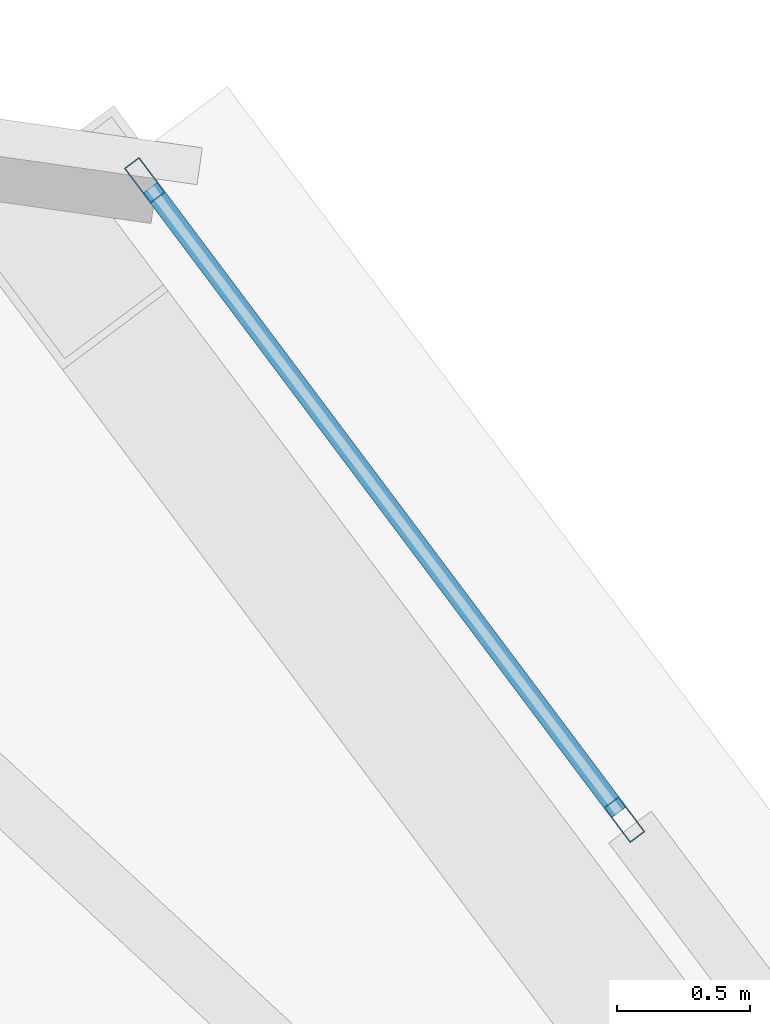
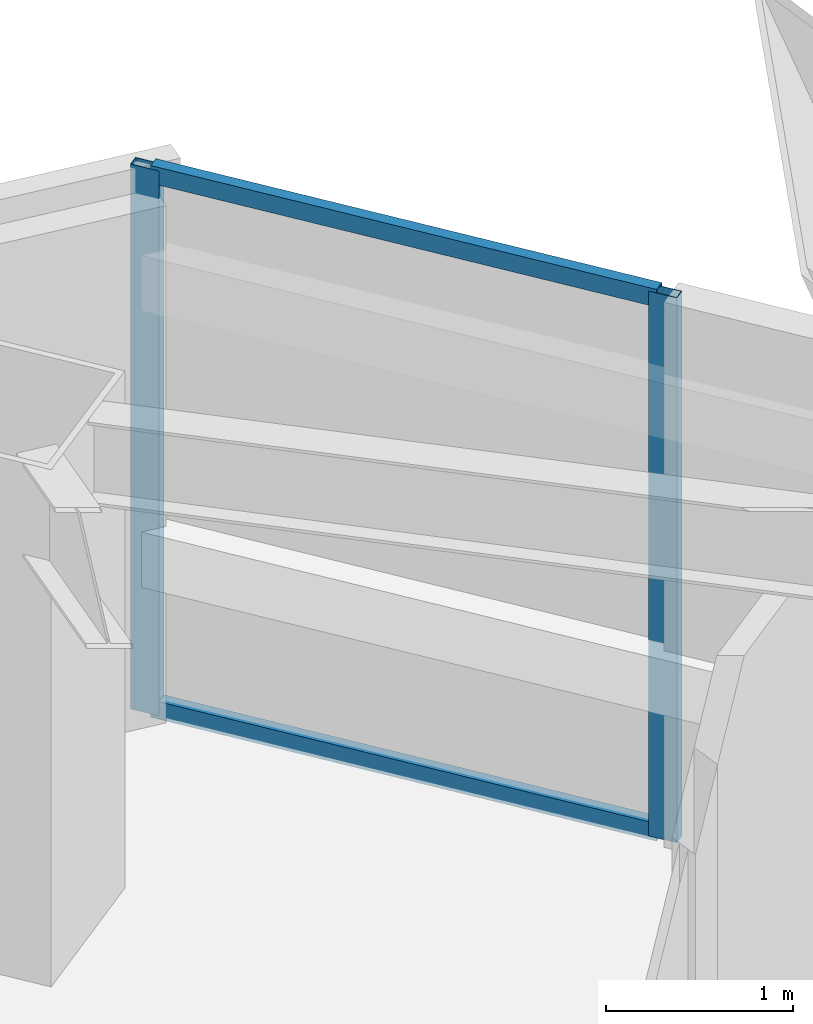
# One storey, part 44 of 56: 4 members, 1 element without a shape of its own.
"""IFC4 building model written with IfcOpenShell, lengths in metres."""

from ifc_helpers import new_model, si_unit, direction, frame, origin, origin_2d, place, context, subcontext, project, spatial, hollow_rectangle, extrude, material, material_profile, profile_set, type_object, element, aggregate, save


model = new_model("IFC4")

# Units and contexts
model_context = context("Model", 3, precision=1e-05, world=origin(), true_north=direction((0.0, 1.0)))
body_context = subcontext(model_context, "Body", "Model", "MODEL_VIEW")
ifc_project = project(units=[si_unit("LENGTHUNIT", "METRE"), si_unit("AREAUNIT", "SQUARE_METRE"), si_unit("VOLUMEUNIT", "CUBIC_METRE"), si_unit("PLANEANGLEUNIT", "RADIAN"), si_unit("MASSUNIT", "GRAM", prefix="KILO")], contexts=[model_context])

# Site, building, storey
site_placement = place(None, origin())
site = spatial("IfcSite", under=ifc_project, at=site_placement, CompositionType="ELEMENT")
building_placement = place(site_placement, origin())
building = spatial("IfcBuilding", under=site, at=building_placement, Name="Tashvorn Skyway Center", CompositionType="ELEMENT")
storey_placement = place(building_placement, frame((0.0, 0.0, 218.39990234375)))
storey = spatial("IfcBuildingStorey", under=building, at=storey_placement, Name="L59", CompositionType="ELEMENT", Elevation=218.39990234375)

# Curtain wall, members
ifc_material = material(Name="Thermally broken bronze-anodized aluminium 6063-T6", Category="aluminium")
curtain_wall_type = type_object("IfcCurtainWallType", Name="CW-CW-Z5", PredefinedType="NOTDEFINED", material=ifc_material)
curtain_wall_placement = place(storey_placement, origin())
curtain_wall = element("IfcCurtainWall", 1, at=curtain_wall_placement, inside=storey, type_object=curtain_wall_type, Name="Tower 2 L59 East Curtain Wall L Glazing Group 1", PredefinedType="NOTDEFINED")
ifc_material_profile_1 = material_profile(ifc_material, hollow_rectangle(XDim=0.070068359375, YDim=0.1650390625, WallThickness=0.00390625, at=origin_2d()), Name="ALU-MULL-70x165")
ifc_profile_set_1 = profile_set([ifc_material_profile_1], Name="Thermally broken bronze-anodized aluminium 6063-T6")
member_type_1 = type_object("IfcMemberType", Name="CWM-CW-Z5", PredefinedType="MULLION", material=ifc_profile_set_1)
member_1_placement = place(storey_placement, frame((118.31689453125, 52.0439453125, 0.0), z_axis=(0.0, 0.0, 1.0), x_axis=(0.799996099621, 0.60000520047, 0.0)))
member_1 = element("IfcMember", 2, at=member_1_placement, type_object=member_type_1, Name="CW-Z5 mullion 1", PredefinedType="MULLION", context=body_context, shape_type="SweptSolid", body=[
    extrude(hollow_rectangle(XDim=0.070068359375, YDim=0.1650390625, WallThickness=0.00390625, at=origin_2d()), origin(), (0.0, 0.0, 1.0), 3.550048828125),
])
member_2_placement = place(storey_placement, frame((120.12109375, 49.638671875, 0.0), z_axis=(0.0, 0.0, 1.0), x_axis=(0.799996099621, 0.60000520047, 0.0)))
member_2 = element("IfcMember", 3, at=member_2_placement, type_object=member_type_1, Name="CW-Z5 mullion 2", PredefinedType="MULLION", context=body_context, shape_type="SweptSolid", body=[
    extrude(hollow_rectangle(XDim=0.070068359375, YDim=0.1650390625, WallThickness=0.00390625, at=origin_2d()), origin(), (0.0, 0.0, 1.0), 3.550048828125),
])
ifc_material_profile_2 = material_profile(ifc_material, hollow_rectangle(XDim=0.070068359375, YDim=0.114990234375, WallThickness=0.00390625, at=origin_2d()), Name="ALU-TRAN-70x115")
ifc_profile_set_2 = profile_set([ifc_material_profile_2], Name="Thermally broken bronze-anodized aluminium 6063-T6")
member_type_2 = type_object("IfcMemberType", Name="CWT-CW-Z5", PredefinedType="USERDEFINED", material=ifc_profile_set_2)
member_3_placement = place(storey_placement, frame((118.337890625, 52.01611328125, 0.03515625), z_axis=(0.600039902157, -0.799970071828, 0.0), x_axis=(0.799970071828, 0.600039902157, 0.0)))
member_3 = element("IfcMember", 4, at=member_3_placement, type_object=member_type_2, Name="CW-Z5 transom 1.1", ObjectType="TRANSOM", PredefinedType="USERDEFINED", context=body_context, shape_type="SweptSolid", body=[
    extrude(hollow_rectangle(XDim=0.070068359375, YDim=0.114990234375, WallThickness=0.00390625, at=origin_2d()), origin(), (0.0, 0.0, 1.0), 2.936767578125),
])
member_4_placement = place(storey_placement, frame((118.337890625, 52.01611328125, 3.51513671875), z_axis=(0.600039902157, -0.799970071828, 0.0), x_axis=(0.799970071828, 0.600039902157, 0.0)))
member_4 = element("IfcMember", 5, at=member_4_placement, type_object=member_type_2, Name="CW-Z5 transom 1.2", ObjectType="TRANSOM", PredefinedType="USERDEFINED", context=body_context, shape_type="SweptSolid", body=[
    extrude(hollow_rectangle(XDim=0.070068359375, YDim=0.114990234375, WallThickness=0.00390625, at=origin_2d()), origin(), (0.0, 0.0, 1.0), 2.936767578125),
])
aggregate(curtain_wall, [member_1, member_2, member_3, member_4])

save(model, "model.ifc")
